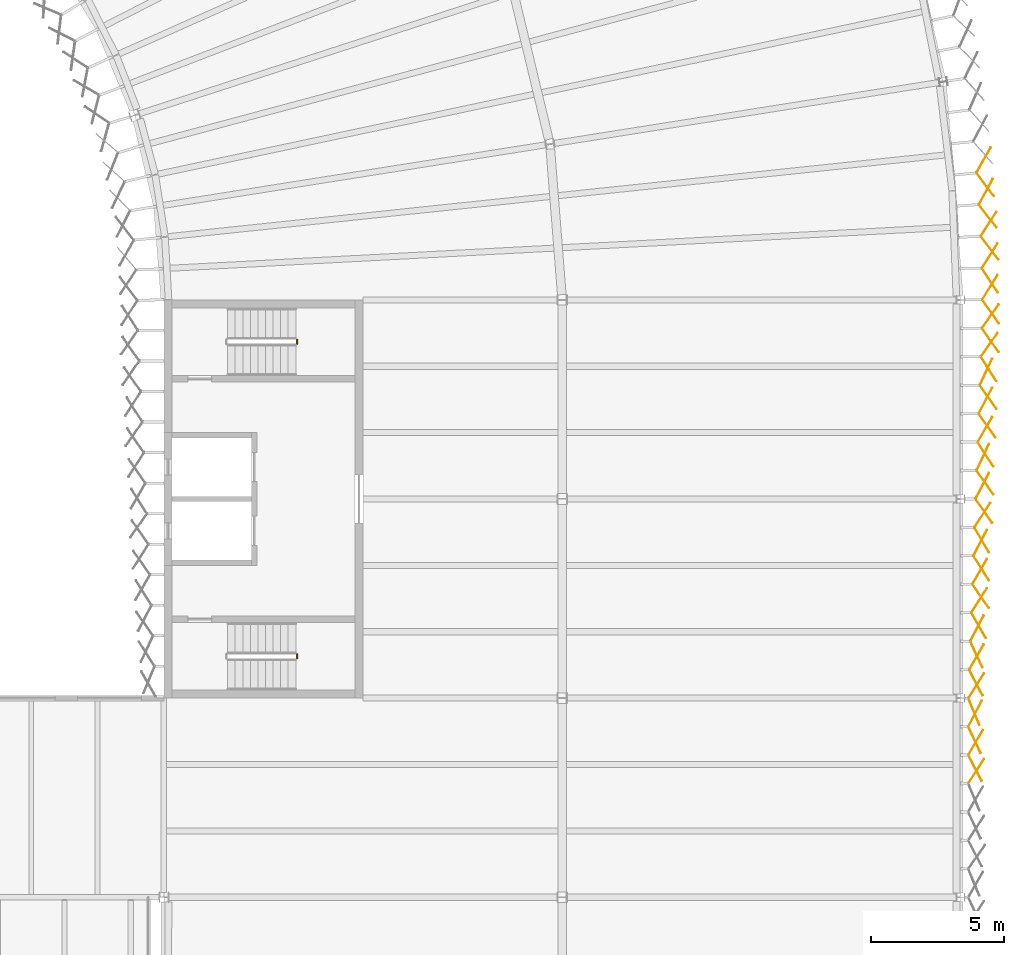
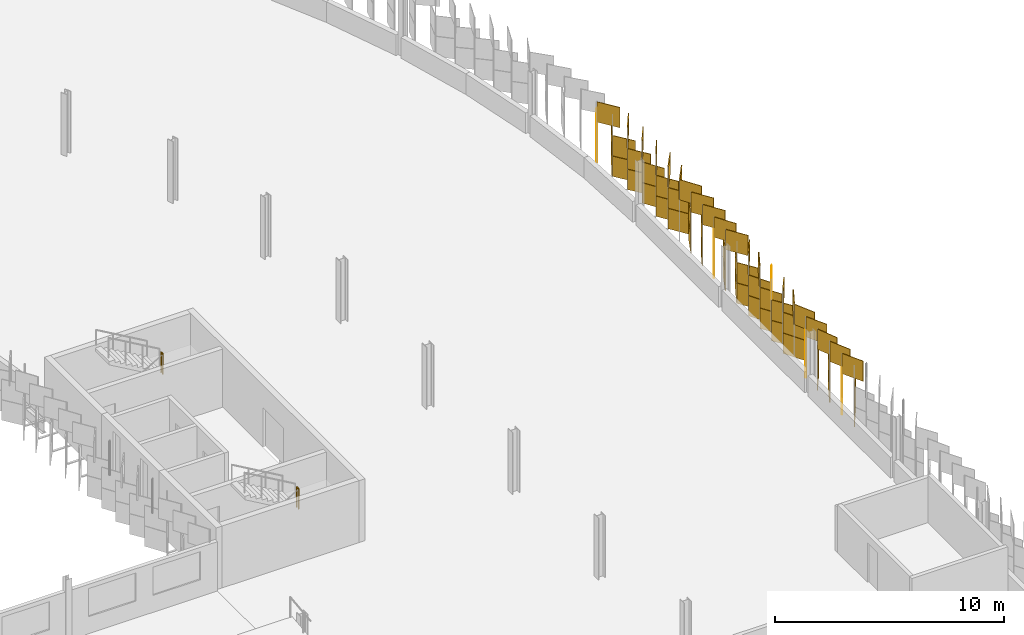
# One storey, part 193 of 198: 65 coverings, 2 railings.
"""IFC4 building model written with IfcOpenShell, lengths in metres."""

from ifc_helpers import new_model, si_unit, direction, frame, origin, origin_2d, place, context, subcontext, project, spatial, rectangle, circle, extrude, material, layer, layer_set, type_object, element, save


model = new_model("IFC4")

# Units and contexts
model_context = context("Model", 3, precision=1e-05, world=origin(), true_north=direction((0.0, 1.0)))
body_context = subcontext(model_context, "Body", "Model", "MODEL_VIEW")
ifc_project = project(units=[si_unit("LENGTHUNIT", "METRE"), si_unit("AREAUNIT", "SQUARE_METRE"), si_unit("VOLUMEUNIT", "CUBIC_METRE"), si_unit("PLANEANGLEUNIT", "RADIAN"), si_unit("MASSUNIT", "GRAM", prefix="KILO")], contexts=[model_context])

# Site, building, storey
site_placement = place(None, origin())
site = spatial("IfcSite", under=ifc_project, at=site_placement, CompositionType="ELEMENT")
building_placement = place(site_placement, origin())
building = spatial("IfcBuilding", under=site, at=building_placement, Name="Parallax Yard Mobility Hub", CompositionType="ELEMENT")
storey_placement = place(building_placement, frame((0.0, 0.0, 6.60009765625)))
storey = spatial("IfcBuildingStorey", under=building, at=storey_placement, Name="L02", CompositionType="ELEMENT", Elevation=6.60009765625)

# Coverings
ifc_material_1 = material(Name="Aluminium panel, champagne finish", Category="aluminium")
ifc_layer_1 = layer(ifc_material_1, 0.030029296875)
ifc_layer_set_1 = layer_set([ifc_layer_1], Name="Skin panel 22.5 degree turn, champagne finish")
covering_type_1 = type_object("IfcCoveringType", Name="Skin panel 22.5 degree turn, champagne finish", PredefinedType="CLADDING", material=ifc_layer_set_1)
covering_placement = place(storey_placement, frame((225.512939453125, 74.484130859375, 2.219970703125), z_axis=(0.0, 0.0, 1.0), x_axis=(0.382683432365, -0.923879532511, 0.0)))
element("IfcCovering", 1, at=covering_placement, inside=storey, type_object=covering_type_1, Name="Skin panel 22.5 bay 38.7 row 3 level L02", ObjectType="SCREEN", PredefinedType="CLADDING", context=body_context, shape_type="SweptSolid", body=[
    extrude(rectangle(XDim=1.080078125, YDim=0.030029296875, at=origin_2d()), origin(), (0.0, 0.0, 1.0), 1.080078125),
])
ifc_layer_2 = layer(ifc_material_1, 0.030029296875)
ifc_layer_set_2 = layer_set([ifc_layer_2], Name="Skin panel 25 degree turn, champagne finish")
covering_type_2 = type_object("IfcCoveringType", Name="Skin panel 25 degree turn, champagne finish", PredefinedType="CLADDING", material=ifc_layer_set_2)
for number, where, z_axis, x_axis, name in (
    (2, (225.53515625, 73.422119140625, 2.219970703125), (0.0, 0.0, 1.0), (0.422618261741, -0.906307787037, 0.0), "Skin panel 25 bay 38.6 row 3 level L02"),
    (3, (225.60595703125, 76.637451171875, 2.219970703125), (0.0, 0.0, 1.0), (0.422618261741, -0.906307787037, 0.0), "Skin panel 25 bay 39.2 row 3 level L02"),
    (4, (225.846435546875, 84.076416015625, 1.119873046875), (0.0, 0.0, 1.0), (0.422618261741, 0.906307787037, 0.0), "Skin panel 25 bay 40.2 row 2 level L02"),
    (5, (225.966796875, 87.29150390625, 1.119873046875), (0.0, 0.0, 1.0), (0.422618261741, 0.906307787037, 0.0), "Skin panel 25 bay 40.5 row 2 level L02"),
):
    element("IfcCovering", number, at=place(storey_placement, frame(where, z_axis=z_axis, x_axis=x_axis)), inside=storey, type_object=covering_type_2, Name=name, ObjectType="SCREEN", PredefinedType="CLADDING", context=body_context, shape_type="SweptSolid", body=[
        extrude(rectangle(XDim=1.080078125, YDim=0.030029296875, at=origin_2d()), origin(), (0.0, 0.0, 1.0), 1.080078125),
    ])
ifc_material_2 = material(Name="Aluminium panel, light oak finish", Category="aluminium")
ifc_layer_3 = layer(ifc_material_2, 0.030029296875)
ifc_layer_set_3 = layer_set([ifc_layer_3], Name="Skin panel 25 degree turn, oak finish")
covering_type_3 = type_object("IfcCoveringType", Name="Skin panel 25 degree turn, oak finish", PredefinedType="CLADDING", material=ifc_layer_set_3)
for number, where, z_axis, x_axis, name in (
    (6, (225.846435546875, 84.076416015625, 0.019775390625), (0.0, 0.0, 1.0), (0.422618261741, 0.906307787037, 0.0), "Skin panel 25 bay 40.2 row 1 level L02"),
    (7, (225.966796875, 87.29150390625, 0.019775390625), (0.0, 0.0, 1.0), (0.422618261741, 0.906307787037, 0.0), "Skin panel 25 bay 40.5 row 1 level L02"),
):
    element("IfcCovering", number, at=place(storey_placement, frame(where, z_axis=z_axis, x_axis=x_axis)), inside=storey, type_object=covering_type_3, Name=name, ObjectType="SCREEN", PredefinedType="CLADDING", context=body_context, shape_type="SweptSolid", body=[
        extrude(rectangle(XDim=1.080078125, YDim=0.030029296875, at=origin_2d()), origin(), (0.0, 0.0, 1.0), 1.080078125),
    ])
ifc_layer_4 = layer(ifc_material_1, 0.030029296875)
ifc_layer_set_4 = layer_set([ifc_layer_4], Name="Skin panel 27.5 degree turn, champagne finish")
covering_type_4 = type_object("IfcCoveringType", Name="Skin panel 27.5 degree turn, champagne finish", PredefinedType="CLADDING", material=ifc_layer_set_4)
for number, where, z_axis, x_axis, name in (
    (8, (225.556884765625, 72.361328125, 2.219970703125), (0.0, 0.0, 1.0), (0.461748613235, -0.887010833178, 0.0), "Skin panel 27.5 bay 38.5 row 3 level L02"),
    (9, (225.556884765625, 74.419921875, 1.119873046875), (0.0, 0.0, 1.0), (0.461748613235, 0.887010833178, 0.0), "Skin panel 27.5 bay 38.7 row 2 level L02"),
    (10, (225.587646484375, 75.576416015625, 2.219970703125), (0.0, 0.0, 1.0), (0.461748613235, -0.887010833178, 0.0), "Skin panel 27.5 bay 39.1 row 3 level L02"),
    (11, (225.627685546875, 77.635009765625, 2.219970703125), (0.0, 0.0, 1.0), (0.461748613235, 0.887010833178, 0.0), "Skin panel 27.5 bay 39.3 row 3 level L02"),
    (12, (225.748046875, 80.850341796875, 2.219970703125), (0.0, 0.0, 1.0), (0.461748613235, 0.887010833178, 0.0), "Skin panel 27.5 bay 39.6 row 3 level L02"),
    (13, (225.828125, 82.993896484375, 1.119873046875), (0.0, 0.0, 1.0), (0.461748613235, 0.887010833178, 0.0), "Skin panel 27.5 bay 40.1 row 2 level L02"),
    (14, (225.948486328125, 86.208984375, 1.119873046875), (0.0, 0.0, 1.0), (0.461748613235, 0.887010833178, 0.0), "Skin panel 27.5 bay 40.4 row 2 level L02"),
):
    element("IfcCovering", number, at=place(storey_placement, frame(where, z_axis=z_axis, x_axis=x_axis)), inside=storey, type_object=covering_type_4, Name=name, ObjectType="SCREEN", PredefinedType="CLADDING", context=body_context, shape_type="SweptSolid", body=[
        extrude(rectangle(XDim=1.080078125, YDim=0.030029296875, at=origin_2d()), origin(), (0.0, 0.0, 1.0), 1.080078125),
    ])
ifc_layer_5 = layer(ifc_material_2, 0.030029296875)
ifc_layer_set_5 = layer_set([ifc_layer_5], Name="Skin panel 27.5 degree turn, oak finish")
covering_type_5 = type_object("IfcCoveringType", Name="Skin panel 27.5 degree turn, oak finish", PredefinedType="CLADDING", material=ifc_layer_set_5)
for number, where, z_axis, x_axis, name in (
    (15, (225.556884765625, 74.419921875, 0.019775390625), (0.0, 0.0, 1.0), (0.461748613235, 0.887010833178, 0.0), "Skin panel 27.5 bay 38.7 row 1 level L02"),
    (16, (225.828125, 82.993896484375, 0.019775390625), (0.0, 0.0, 1.0), (0.461748613235, 0.887010833178, 0.0), "Skin panel 27.5 bay 40.1 row 1 level L02"),
    (17, (225.948486328125, 86.208984375, 0.019775390625), (0.0, 0.0, 1.0), (0.461748613235, 0.887010833178, 0.0), "Skin panel 27.5 bay 40.4 row 1 level L02"),
):
    element("IfcCovering", number, at=place(storey_placement, frame(where, z_axis=z_axis, x_axis=x_axis)), inside=storey, type_object=covering_type_5, Name=name, ObjectType="SCREEN", PredefinedType="CLADDING", context=body_context, shape_type="SweptSolid", body=[
        extrude(rectangle(XDim=1.080078125, YDim=0.030029296875, at=origin_2d()), origin(), (0.0, 0.0, 1.0), 1.080078125),
    ])
ifc_layer_6 = layer(ifc_material_1, 0.030029296875)
ifc_layer_set_6 = layer_set([ifc_layer_6], Name="Skin panel 30 degree turn, champagne finish")
covering_type_6 = type_object("IfcCoveringType", Name="Skin panel 30 degree turn, champagne finish", PredefinedType="CLADDING", material=ifc_layer_set_6)
for number, where, z_axis, x_axis, name in (
    (18, (225.578125, 73.336669921875, 1.119873046875), (0.0, 0.0, 1.0), (0.5, 0.866025403784, 0.0), "Skin panel 30 bay 38.6 row 2 level L02"),
    (19, (225.60888671875, 76.5517578125, 1.119873046875), (0.0, 0.0, 1.0), (0.5, 0.866025403784, 0.0), "Skin panel 30 bay 39.2 row 2 level L02"),
    (20, (225.689208984375, 77.731689453125, 1.119873046875), (0.0, 0.0, 1.0), (0.5, -0.866025403784, 0.0), "Skin panel 30 bay 39.3 row 2 level L02"),
    (21, (225.729248046875, 79.766845703125, 2.219970703125), (0.0, 0.0, 1.0), (0.5, 0.866025403784, 0.0), "Skin panel 30 bay 39.5 row 3 level L02"),
    (22, (225.809326171875, 80.94677734375, 1.119873046875), (0.0, 0.0, 1.0), (0.5, -0.866025403784, 0.0), "Skin panel 30 bay 39.6 row 2 level L02"),
    (23, (225.9296875, 85.12548828125, 1.119873046875), (0.0, 0.0, 1.0), (0.5, 0.866025403784, 0.0), "Skin panel 30 bay 40.3 row 2 level L02"),
):
    element("IfcCovering", number, at=place(storey_placement, frame(where, z_axis=z_axis, x_axis=x_axis)), inside=storey, type_object=covering_type_6, Name=name, ObjectType="SCREEN", PredefinedType="CLADDING", context=body_context, shape_type="SweptSolid", body=[
        extrude(rectangle(XDim=1.080078125, YDim=0.030029296875, at=origin_2d()), origin(), (0.0, 0.0, 1.0), 1.080078125),
    ])
ifc_layer_7 = layer(ifc_material_2, 0.030029296875)
ifc_layer_set_7 = layer_set([ifc_layer_7], Name="Skin panel 30 degree turn, oak finish")
covering_type_7 = type_object("IfcCoveringType", Name="Skin panel 30 degree turn, oak finish", PredefinedType="CLADDING", material=ifc_layer_set_7)
for number, where, z_axis, x_axis, name in (
    (24, (225.578125, 73.336669921875, 0.019775390625), (0.0, 0.0, 1.0), (0.5, 0.866025403784, 0.0), "Skin panel 30 bay 38.6 row 1 level L02"),
    (25, (225.60888671875, 76.5517578125, 0.019775390625), (0.0, 0.0, 1.0), (0.5, 0.866025403784, 0.0), "Skin panel 30 bay 39.2 row 1 level L02"),
    (26, (225.689208984375, 77.731689453125, 0.019775390625), (0.0, 0.0, 1.0), (0.5, -0.866025403784, 0.0), "Skin panel 30 bay 39.3 row 1 level L02"),
    (27, (225.809326171875, 80.94677734375, 0.019775390625), (0.0, 0.0, 1.0), (0.5, -0.866025403784, 0.0), "Skin panel 30 bay 39.6 row 1 level L02"),
    (28, (225.9296875, 85.12548828125, 0.019775390625), (0.0, 0.0, 1.0), (0.5, 0.866025403784, 0.0), "Skin panel 30 bay 40.3 row 1 level L02"),
):
    element("IfcCovering", number, at=place(storey_placement, frame(where, z_axis=z_axis, x_axis=x_axis)), inside=storey, type_object=covering_type_7, Name=name, ObjectType="SCREEN", PredefinedType="CLADDING", context=body_context, shape_type="SweptSolid", body=[
        extrude(rectangle(XDim=1.080078125, YDim=0.030029296875, at=origin_2d()), origin(), (0.0, 0.0, 1.0), 1.080078125),
    ])
ifc_layer_8 = layer(ifc_material_1, 0.030029296875)
ifc_layer_set_8 = layer_set([ifc_layer_8], Name="Skin panel 32.5 degree turn, champagne finish")
covering_type_8 = type_object("IfcCoveringType", Name="Skin panel 32.5 degree turn, champagne finish", PredefinedType="CLADDING", material=ifc_layer_set_8)
for number, where, z_axis, x_axis, name in (
    (29, (225.598876953125, 72.252197265625, 1.119873046875), (0.0, 0.0, 1.0), (0.537299608347, 0.843391445813, 0.0), "Skin panel 32.5 bay 38.5 row 2 level L02"),
    (30, (225.598876953125, 75.46728515625, 1.119873046875), (0.0, 0.0, 1.0), (0.537299608347, 0.843391445813, 0.0), "Skin panel 32.5 bay 39.1 row 2 level L02"),
    (31, (225.709716796875, 78.6826171875, 2.219970703125), (0.0, 0.0, 1.0), (0.537299608347, 0.843391445813, 0.0), "Skin panel 32.5 bay 39.4 row 3 level L02"),
    (32, (225.7900390625, 79.8876953125, 1.119873046875), (0.0, 0.0, 1.0), (0.537299608347, -0.843391445813, 0.0), "Skin panel 32.5 bay 39.5 row 2 level L02"),
    (33, (225.830078125, 81.897705078125, 2.219970703125), (0.0, 0.0, 1.0), (0.537299608347, 0.843391445813, 0.0), "Skin panel 32.5 bay 39.7 row 3 level L02"),
    (34, (225.950439453125, 84.174560546875, 2.219970703125), (0.0, 0.0, 1.0), (0.537299608347, -0.843391445813, 0.0), "Skin panel 32.5 bay 40.2 row 3 level L02"),
    (35, (226.070556640625, 87.3896484375, 2.219970703125), (0.0, 0.0, 1.0), (0.537299608347, -0.843391445813, 0.0), "Skin panel 32.5 bay 40.5 row 3 level L02"),
    (36, (226.1123046875, 90.729248046875, 1.119873046875), (0.0, 0.0, 1.0), (0.54928828444, -0.835632922148, 0.0), "Skin panel 32.5 bay 41.1 row 2 level L02"),
    (37, (226.115966796875, 90.4833984375, 2.219970703125), (0.0, 0.0, 1.0), (0.525201364482, 0.850977982527, 0.0), "Skin panel 32.5 bay 41.1 row 3 level L02"),
    (38, (225.962646484375, 94.07958984375, 1.119873046875), (0.0, 0.0, 1.0), (0.475763913222, 0.879573020775, 0.0), "Skin panel 32.5 bay 41.4 row 2 level L02"),
    (39, (225.9375, 94.339111328125, 2.219970703125), (0.0, 0.0, 1.0), (0.596097359991, -0.802912160458, 0.0), "Skin panel 32.5 bay 41.4 row 3 level L02"),
):
    element("IfcCovering", number, at=place(storey_placement, frame(where, z_axis=z_axis, x_axis=x_axis)), inside=storey, type_object=covering_type_8, Name=name, ObjectType="SCREEN", PredefinedType="CLADDING", context=body_context, shape_type="SweptSolid", body=[
        extrude(rectangle(XDim=1.080078125, YDim=0.030029296875, at=origin_2d()), origin(), (0.0, 0.0, 1.0), 1.080078125),
    ])
ifc_layer_9 = layer(ifc_material_2, 0.030029296875)
ifc_layer_set_9 = layer_set([ifc_layer_9], Name="Skin panel 32.5 degree turn, oak finish")
covering_type_9 = type_object("IfcCoveringType", Name="Skin panel 32.5 degree turn, oak finish", PredefinedType="CLADDING", material=ifc_layer_set_9)
for number, where, z_axis, x_axis, name in (
    (40, (225.598876953125, 72.252197265625, 0.019775390625), (0.0, 0.0, 1.0), (0.537299608347, 0.843391445813, 0.0), "Skin panel 32.5 bay 38.5 row 1 level L02"),
    (41, (225.598876953125, 75.46728515625, 0.019775390625), (0.0, 0.0, 1.0), (0.537299608347, 0.843391445813, 0.0), "Skin panel 32.5 bay 39.1 row 1 level L02"),
    (42, (225.7900390625, 79.8876953125, 0.019775390625), (0.0, 0.0, 1.0), (0.537299608347, -0.843391445813, 0.0), "Skin panel 32.5 bay 39.5 row 1 level L02"),
    (43, (226.1123046875, 90.729248046875, 0.019775390625), (0.0, 0.0, 1.0), (0.54928828444, -0.835632922148, 0.0), "Skin panel 32.5 bay 41.1 row 1 level L02"),
    (44, (225.962646484375, 94.07958984375, 0.019775390625), (0.0, 0.0, 1.0), (0.475763913222, 0.879573020775, 0.0), "Skin panel 32.5 bay 41.4 row 1 level L02"),
):
    element("IfcCovering", number, at=place(storey_placement, frame(where, z_axis=z_axis, x_axis=x_axis)), inside=storey, type_object=covering_type_9, Name=name, ObjectType="SCREEN", PredefinedType="CLADDING", context=body_context, shape_type="SweptSolid", body=[
        extrude(rectangle(XDim=1.080078125, YDim=0.030029296875, at=origin_2d()), origin(), (0.0, 0.0, 1.0), 1.080078125),
    ])
ifc_layer_10 = layer(ifc_material_1, 0.030029296875)
ifc_layer_set_10 = layer_set([ifc_layer_10], Name="Skin panel 35 degree turn, champagne finish")
covering_type_10 = type_object("IfcCoveringType", Name="Skin panel 35 degree turn, champagne finish", PredefinedType="CLADDING", material=ifc_layer_set_10)
for number, where, z_axis, x_axis, name in (
    (45, (225.77001953125, 78.829345703125, 1.119873046875), (0.0, 0.0, 1.0), (0.573576436351, -0.819152044289, 0.0), "Skin panel 35 bay 39.4 row 2 level L02"),
    (46, (225.890380859375, 82.044677734375, 1.119873046875), (0.0, 0.0, 1.0), (0.573576436351, -0.819152044289, 0.0), "Skin panel 35 bay 39.7 row 2 level L02"),
    (47, (225.930419921875, 83.1162109375, 2.219970703125), (0.0, 0.0, 1.0), (0.573576436351, -0.819152044289, 0.0), "Skin panel 35 bay 40.1 row 3 level L02"),
    (48, (226.0107421875, 85.259765625, 2.219970703125), (0.0, 0.0, 1.0), (0.573576436351, -0.819152044289, 0.0), "Skin panel 35 bay 40.3 row 3 level L02"),
    (49, (226.05078125, 86.33154296875, 2.219970703125), (0.0, 0.0, 1.0), (0.573576436351, -0.819152044289, 0.0), "Skin panel 35 bay 40.4 row 3 level L02"),
    (50, (226.130859375, 88.47509765625, 1.119873046875), (0.0, 0.0, 1.0), (0.573576436351, -0.819152044289, 0.0), "Skin panel 35 bay 40.6 row 2 level L02"),
    (51, (226.0908203125, 88.314697265625, 2.219970703125), (0.0, 0.0, 1.0), (0.573576436351, 0.819152044289, 0.0), "Skin panel 35 bay 40.6 row 3 level L02"),
    (52, (226.142822265625, 89.55419921875, 1.119873046875), (0.0, 0.0, 1.0), (0.573576436351, -0.819152044289, 0.0), "Skin panel 35 bay 40.7 row 2 level L02"),
    (53, (226.130859375, 89.386474609375, 2.219970703125), (0.0, 0.0, 1.0), (0.573576436351, 0.819152044289, 0.0), "Skin panel 35 bay 40.7 row 3 level L02"),
    (54, (226.103271484375, 91.951171875, 1.119873046875), (0.0, 0.0, 1.0), (0.608131215552, -0.793836522636, 0.0), "Skin panel 35 bay 41.2 row 2 level L02"),
    (55, (226.106201171875, 91.6630859375, 2.219970703125), (0.0, 0.0, 1.0), (0.537969196928, 0.842964496973, 0.0), "Skin panel 35 bay 41.2 row 3 level L02"),
    (56, (226.0361328125, 93.1484375, 1.119873046875), (0.0, 0.0, 1.0), (0.608131215552, -0.793836522636, 0.0), "Skin panel 35 bay 41.3 row 2 level L02"),
    (57, (226.064208984375, 92.86181640625, 2.219970703125), (0.0, 0.0, 1.0), (0.537969196928, 0.842964496973, 0.0), "Skin panel 35 bay 41.3 row 3 level L02"),
    (58, (225.8779296875, 95.271240234375, 1.119873046875), (0.0, 0.0, 1.0), (0.488966877106, 0.872302351879, 0.0), "Skin panel 35 bay 41.5 row 2 level L02"),
):
    element("IfcCovering", number, at=place(storey_placement, frame(where, z_axis=z_axis, x_axis=x_axis)), inside=storey, type_object=covering_type_10, Name=name, ObjectType="SCREEN", PredefinedType="CLADDING", context=body_context, shape_type="SweptSolid", body=[
        extrude(rectangle(XDim=1.080078125, YDim=0.030029296875, at=origin_2d()), origin(), (0.0, 0.0, 1.0), 1.080078125),
    ])
ifc_layer_11 = layer(ifc_material_2, 0.030029296875)
ifc_layer_set_11 = layer_set([ifc_layer_11], Name="Skin panel 35 degree turn, oak finish")
covering_type_11 = type_object("IfcCoveringType", Name="Skin panel 35 degree turn, oak finish", PredefinedType="CLADDING", material=ifc_layer_set_11)
for number, where, z_axis, x_axis, name in (
    (59, (225.77001953125, 78.829345703125, 0.019775390625), (0.0, 0.0, 1.0), (0.573576436351, -0.819152044289, 0.0), "Skin panel 35 bay 39.4 row 1 level L02"),
    (60, (225.890380859375, 82.044677734375, 0.019775390625), (0.0, 0.0, 1.0), (0.573576436351, -0.819152044289, 0.0), "Skin panel 35 bay 39.7 row 1 level L02"),
    (61, (226.130859375, 88.47509765625, 0.019775390625), (0.0, 0.0, 1.0), (0.573576436351, -0.819152044289, 0.0), "Skin panel 35 bay 40.6 row 1 level L02"),
    (62, (226.142822265625, 89.55419921875, 0.019775390625), (0.0, 0.0, 1.0), (0.573576436351, -0.819152044289, 0.0), "Skin panel 35 bay 40.7 row 1 level L02"),
    (63, (226.103271484375, 91.951171875, 0.019775390625), (0.0, 0.0, 1.0), (0.608131215552, -0.793836522636, 0.0), "Skin panel 35 bay 41.2 row 1 level L02"),
    (64, (226.0361328125, 93.1484375, 0.019775390625), (0.0, 0.0, 1.0), (0.608131215552, -0.793836522636, 0.0), "Skin panel 35 bay 41.3 row 1 level L02"),
    (65, (225.8779296875, 95.271240234375, 0.019775390625), (0.0, 0.0, 1.0), (0.488966877106, 0.872302351879, 0.0), "Skin panel 35 bay 41.5 row 1 level L02"),
):
    element("IfcCovering", number, at=place(storey_placement, frame(where, z_axis=z_axis, x_axis=x_axis)), inside=storey, type_object=covering_type_11, Name=name, ObjectType="SCREEN", PredefinedType="CLADDING", context=body_context, shape_type="SweptSolid", body=[
        extrude(rectangle(XDim=1.080078125, YDim=0.030029296875, at=origin_2d()), origin(), (0.0, 0.0, 1.0), 1.080078125),
    ])

# Railings
ifc_material_3 = material(Name="Steel ASTM A36", Category="steel")
railing_type = type_object("IfcRailingType", Name="Stair guard 1100", PredefinedType="GUARDRAIL", material=ifc_material_3)
for number, where, name in (
    (66, (200.014892578125, 76.5, 1.64990234375), "L02 ST7 stair guard 2"),
    (67, (200.014892578125, 88.35009765625, 1.64990234375), "L02 ST8 stair guard 2"),
):
    element("IfcRailing", number, at=place(storey_placement, frame(where)), inside=storey, type_object=railing_type, Name=name, PredefinedType="GUARDRAIL", context=body_context, shape_type="SweptSolid", body=[
        extrude(circle(Radius=0.02392578125, at=origin_2d()), frame((0.0, 0.0, 1.076171875), z_axis=(0.0, 1.0, 0.0), x_axis=(-1.0, 0.0, 0.0)), (0.0, 0.0, 1.0), 0.14990234375),
        extrude(circle(Radius=0.02099609375, at=origin_2d()), origin(), (0.0, 0.0, 1.0), 1.052001953125),
        extrude(circle(Radius=0.02099609375, at=origin_2d()), frame((0.0, 0.14990234375, 0.0)), (0.0, 0.0, 1.0), 1.052001953125),
    ])

save(model, "model.ifc")
